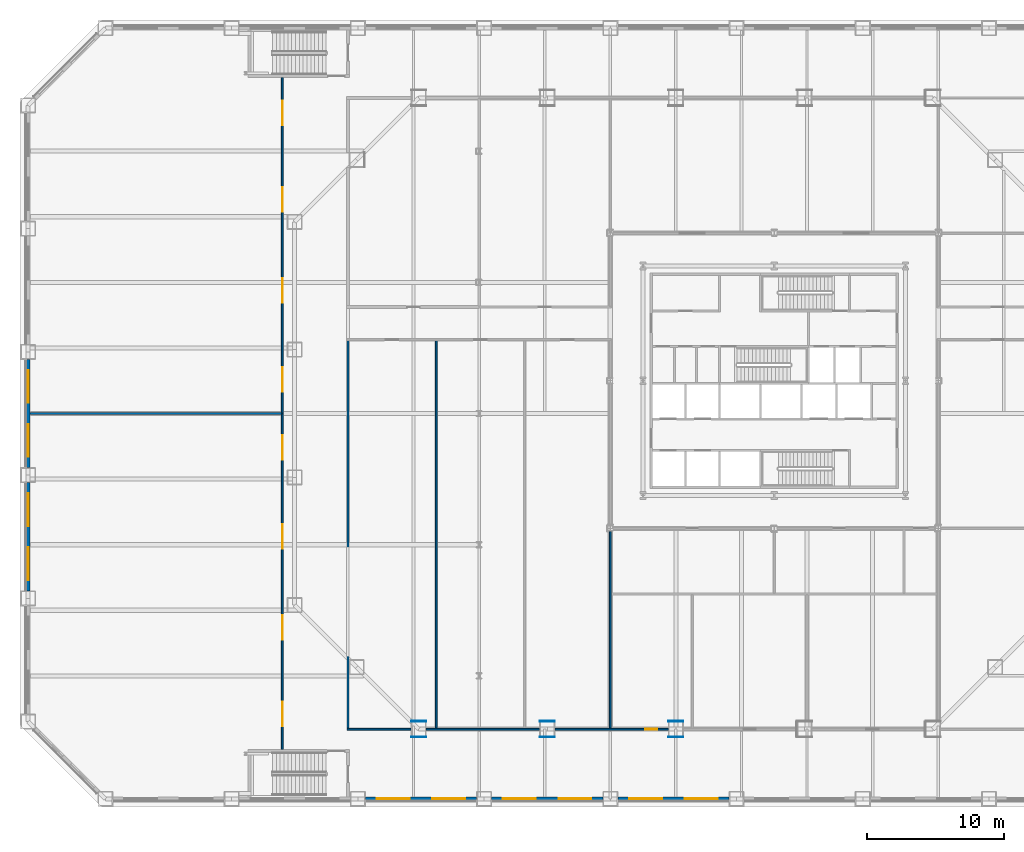
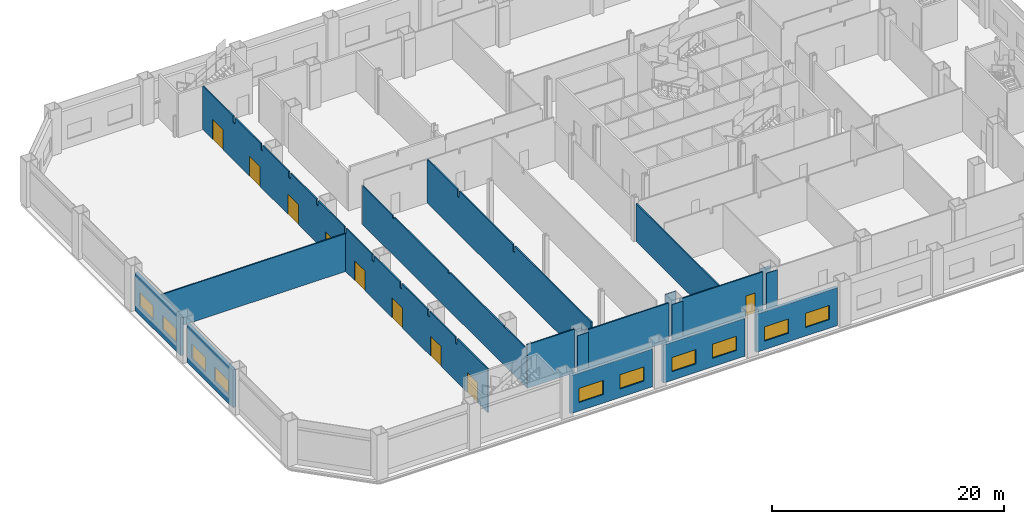
# One storey, part 12 of 25: 19 walls, 10 windows, 9 doors, 19 openings.
"""IFC4 building model written with IfcOpenShell, lengths in metres."""

from ifc_helpers import new_model, si_unit, direction, frame, frame_2d, origin, place, context, subcontext, project, spatial, polyline, rectangle, outline, extrude, material, layer, layer_set, type_object, element, fill, save


model = new_model("IFC4")

# Units and contexts
model_context = context("Model", 3, precision=1e-05, world=origin(), true_north=direction((0.0, 1.0)))
body_context = subcontext(model_context, "Body", "Model", "MODEL_VIEW")
ifc_project = project(units=[si_unit("LENGTHUNIT", "METRE"), si_unit("AREAUNIT", "SQUARE_METRE"), si_unit("VOLUMEUNIT", "CUBIC_METRE"), si_unit("PLANEANGLEUNIT", "RADIAN"), si_unit("MASSUNIT", "GRAM", prefix="KILO")], contexts=[model_context])

# Site, building, storey
site_placement = place(None, origin())
site = spatial("IfcSite", under=ifc_project, at=site_placement, CompositionType="ELEMENT")
building_placement = place(site_placement, origin())
building = spatial("IfcBuilding", under=site, at=building_placement, Name="Cairn Pilgrim Tower", CompositionType="ELEMENT")
storey_placement = place(building_placement, frame((0.0, 0.0, 30.60009765625)))
storey = spatial("IfcBuildingStorey", under=building, at=storey_placement, Name="L05", CompositionType="ELEMENT", Elevation=30.60009765625)

# Wall, openings, doors
ifc_material_1 = material(Name="Gypsum partition")
ifc_layer_1 = layer(ifc_material_1, 0.125)
ifc_layer_set_1 = layer_set([ifc_layer_1], Name="PARTITION 125 DRYWALL EI 60")
wall_type_1 = type_object("IfcWallType", Name="PARTITION 125 DRYWALL EI 60", PredefinedType="PARTITIONING", material=ifc_layer_set_1)
wall_1_placement = place(storey_placement, frame((-28.800048828125, -24.60009765625, 0.0), z_axis=(0.0, 0.0, 1.0), x_axis=(0.0, 1.0, 0.0)))
wall_1 = element("IfcWall", 1, at=wall_1_placement, inside=storey, type_object=wall_type_1, Name="PARTITION W007", PredefinedType="PARTITIONING", context=body_context, shape_type="SweptSolid", body=[
    extrude(outline(polyline([(0.0, 0.0), (49.2001953125, 0.0), (49.199951171875, 4.599853515625), (43.949951171875, 4.599853515625), (43.947998046875, 3.97998046875), (43.64990234375, 3.97998046875), (43.64794921875, 4.599853515625), (39.14990234375, 4.599853515625), (39.14794921875, 3.97998046875), (38.85009765625, 3.97998046875), (38.847900390625, 4.599853515625), (34.35009765625, 4.599853515625), (34.347900390625, 3.97998046875), (34.050048828125, 3.97998046875), (34.048095703125, 4.599853515625), (29.550048828125, 4.599853515625), (29.548095703125, 3.97998046875), (29.25, 3.97998046875), (29.248046875, 4.599853515625), (24.75, 4.599853515625), (24.748046875, 3.97998046875), (24.449951171875, 3.97998046875), (24.447998046875, 4.599853515625), (19.949951171875, 4.599853515625), (19.947998046875, 3.97998046875), (19.64990234375, 3.97998046875), (19.64794921875, 4.599853515625), (15.14990234375, 4.599853515625), (15.14794921875, 3.97998046875), (14.85009765625, 3.97998046875), (14.847900390625, 4.599853515625), (10.35009765625, 4.599853515625), (10.347900390625, 3.97998046875), (10.050048828125, 3.97998046875), (10.048095703125, 4.599853515625), (5.550048828125, 4.599853515625), (5.548095703125, 3.97998046875), (5.25, 3.97998046875), (5.248046875, 4.599853515625), (0.0, 4.599853515625), (0.0, 0.0)])), frame((0.0, 0.0625, 0.0), z_axis=(0.0, -1.0, 0.0), x_axis=(1.0, 0.0, 0.0)), (0.0, 0.0, 1.0), 0.125),
])
opening_1_placement = place(wall_1_placement, frame((1.699951171875, 0.0, 0.0)))
opening_1 = element("IfcOpeningElement", 2, at=opening_1_placement, cuts=wall_1, Name="Opening 0528", PredefinedType="OPENING", context=body_context, shape_type="SweptSolid", body=[
    extrude(rectangle(XDim=1.800048828125, YDim=2.10009765625, at=frame_2d((0.89990234375, 1.050048828125))), frame((0.0, 0.072509765625, 0.0), z_axis=(0.0, -1.0, 0.0), x_axis=(1.0, 0.0, 0.0)), (0.0, 0.0, 1.0), 0.14501953125),
])
opening_2_placement = place(wall_1_placement, frame((8.050048828125, 0.0, 0.0)))
opening_2 = element("IfcOpeningElement", 3, at=opening_2_placement, cuts=wall_1, Name="Opening 0529", PredefinedType="OPENING", context=body_context, shape_type="SweptSolid", body=[
    extrude(rectangle(XDim=1.800048828125, YDim=2.10009765625, at=frame_2d((0.89990234375, 1.050048828125))), frame((0.0, 0.072509765625, 0.0), z_axis=(0.0, -1.0, 0.0), x_axis=(1.0, 0.0, 0.0)), (0.0, 0.0, 1.0), 0.14501953125),
])
opening_3_placement = place(wall_1_placement, frame((14.699951171875, 0.0, 0.0)))
opening_3 = element("IfcOpeningElement", 4, at=opening_3_placement, cuts=wall_1, Name="Opening 0530", PredefinedType="OPENING", context=body_context, shape_type="SweptSolid", body=[
    extrude(rectangle(XDim=1.800048828125, YDim=2.10009765625, at=frame_2d((0.89990234375, 1.050048828125))), frame((0.0, 0.072509765625, 0.0), z_axis=(0.0, -1.0, 0.0), x_axis=(1.0, 0.0, 0.0)), (0.0, 0.0, 1.0), 0.14501953125),
])
opening_4_placement = place(wall_1_placement, frame((21.199951171875, 0.0, 0.0)))
opening_4 = element("IfcOpeningElement", 5, at=opening_4_placement, cuts=wall_1, Name="Opening 0531", PredefinedType="OPENING", context=body_context, shape_type="SweptSolid", body=[
    extrude(rectangle(XDim=1.800048828125, YDim=2.10009765625, at=frame_2d((0.89990234375, 1.050048828125))), frame((0.0, 0.072509765625, 0.0), z_axis=(0.0, -1.0, 0.0), x_axis=(1.0, 0.0, 0.0)), (0.0, 0.0, 1.0), 0.14501953125),
])
opening_5_placement = place(wall_1_placement, frame((26.199951171875, 0.0, 0.0)))
opening_5 = element("IfcOpeningElement", 6, at=opening_5_placement, cuts=wall_1, Name="Opening 0532", PredefinedType="OPENING", context=body_context, shape_type="SweptSolid", body=[
    extrude(rectangle(XDim=1.800048828125, YDim=2.10009765625, at=frame_2d((0.89990234375, 1.050048828125))), frame((0.0, 0.072509765625, 0.0), z_axis=(0.0, -1.0, 0.0), x_axis=(1.0, 0.0, 0.0)), (0.0, 0.0, 1.0), 0.14501953125),
])
opening_6_placement = place(wall_1_placement, frame((32.699951171875, 0.0, 0.0)))
opening_6 = element("IfcOpeningElement", 7, at=opening_6_placement, cuts=wall_1, Name="Opening 0533", PredefinedType="OPENING", context=body_context, shape_type="SweptSolid", body=[
    extrude(rectangle(XDim=1.800048828125, YDim=2.10009765625, at=frame_2d((0.89990234375, 1.050048828125))), frame((0.0, 0.072509765625, 0.0), z_axis=(0.0, -1.0, 0.0), x_axis=(1.0, 0.0, 0.0)), (0.0, 0.0, 1.0), 0.14501953125),
])
opening_7_placement = place(wall_1_placement, frame((39.35009765625, 0.0, 0.0)))
opening_7 = element("IfcOpeningElement", 8, at=opening_7_placement, cuts=wall_1, Name="Opening 0534", PredefinedType="OPENING", context=body_context, shape_type="SweptSolid", body=[
    extrude(rectangle(XDim=1.800048828125, YDim=2.10009765625, at=frame_2d((0.89990234375, 1.050048828125))), frame((0.0, 0.072509765625, 0.0), z_axis=(0.0, -1.0, 0.0), x_axis=(1.0, 0.0, 0.0)), (0.0, 0.0, 1.0), 0.14501953125),
])
opening_8_placement = place(wall_1_placement, frame((45.699951171875, 0.0, 0.0)))
opening_8 = element("IfcOpeningElement", 9, at=opening_8_placement, cuts=wall_1, Name="Opening 0535", PredefinedType="OPENING", context=body_context, shape_type="SweptSolid", body=[
    extrude(rectangle(XDim=1.800048828125, YDim=2.10009765625, at=frame_2d((0.89990234375, 1.050048828125))), frame((0.0, 0.072509765625, 0.0), z_axis=(0.0, -1.0, 0.0), x_axis=(1.0, 0.0, 0.0)), (0.0, 0.0, 1.0), 0.14501953125),
])
ifc_material_2 = material(Name="Timber door leaf", Category="wood")
door_type_1 = type_object("IfcDoorType", Name="DOOR PAIR 1800x2100 FD60S", OperationType="NOTDEFINED", PredefinedType="DOOR", material=ifc_material_2)
door_1_placement = place(opening_1_placement, frame((1.800048828125, 0.0, 0.0), z_axis=(0.0, 0.0, 1.0), x_axis=(-1.0, 0.0, 0.0)))
door_1 = element("IfcDoor", 10, at=door_1_placement, inside=storey, type_object=door_type_1, Name="DOOR 0528", OperationType="DOUBLE_DOOR_SINGLE_SWING", OverallHeight=2.10009765625, OverallWidth=1.800048828125, PredefinedType="DOOR", context=body_context, shape_type="SweptSolid", body=[
    extrude(rectangle(XDim=1.800048828125, YDim=2.10009765625, at=frame_2d((0.89990234375, 1.050048828125))), frame((0.0, 0.02490234375, 0.0), z_axis=(0.0, -1.0, 0.0), x_axis=(1.0, 0.0, 0.0)), (0.0, 0.0, 1.0), 0.050048828125),
])
fill(opening_1, door_1)
door_2_placement = place(opening_2_placement, frame((1.800048828125, 0.0, 0.0), z_axis=(0.0, 0.0, 1.0), x_axis=(-1.0, 0.0, 0.0)))
door_2 = element("IfcDoor", 11, at=door_2_placement, inside=storey, type_object=door_type_1, Name="DOOR 0529", OperationType="DOUBLE_DOOR_SINGLE_SWING", OverallHeight=2.10009765625, OverallWidth=1.800048828125, PredefinedType="DOOR", context=body_context, shape_type="SweptSolid", body=[
    extrude(rectangle(XDim=1.800048828125, YDim=2.10009765625, at=frame_2d((0.89990234375, 1.050048828125))), frame((0.0, 0.02490234375, 0.0), z_axis=(0.0, -1.0, 0.0), x_axis=(1.0, 0.0, 0.0)), (0.0, 0.0, 1.0), 0.050048828125),
])
fill(opening_2, door_2)
door_3_placement = place(opening_3_placement, frame((1.800048828125, 0.0, 0.0), z_axis=(0.0, 0.0, 1.0), x_axis=(-1.0, 0.0, 0.0)))
door_3 = element("IfcDoor", 12, at=door_3_placement, inside=storey, type_object=door_type_1, Name="DOOR 0530", OperationType="DOUBLE_DOOR_SINGLE_SWING", OverallHeight=2.10009765625, OverallWidth=1.800048828125, PredefinedType="DOOR", context=body_context, shape_type="SweptSolid", body=[
    extrude(rectangle(XDim=1.800048828125, YDim=2.10009765625, at=frame_2d((0.89990234375, 1.050048828125))), frame((0.0, 0.02490234375, 0.0), z_axis=(0.0, -1.0, 0.0), x_axis=(1.0, 0.0, 0.0)), (0.0, 0.0, 1.0), 0.050048828125),
])
fill(opening_3, door_3)
door_4_placement = place(opening_4_placement, frame((1.800048828125, 0.0, 0.0), z_axis=(0.0, 0.0, 1.0), x_axis=(-1.0, 0.0, 0.0)))
door_4 = element("IfcDoor", 13, at=door_4_placement, inside=storey, type_object=door_type_1, Name="DOOR 0531", OperationType="DOUBLE_DOOR_SINGLE_SWING", OverallHeight=2.10009765625, OverallWidth=1.800048828125, PredefinedType="DOOR", context=body_context, shape_type="SweptSolid", body=[
    extrude(rectangle(XDim=1.800048828125, YDim=2.10009765625, at=frame_2d((0.89990234375, 1.050048828125))), frame((0.0, 0.02490234375, 0.0), z_axis=(0.0, -1.0, 0.0), x_axis=(1.0, 0.0, 0.0)), (0.0, 0.0, 1.0), 0.050048828125),
])
fill(opening_4, door_4)
door_5_placement = place(opening_5_placement, frame((1.800048828125, 0.0, 0.0), z_axis=(0.0, 0.0, 1.0), x_axis=(-1.0, 0.0, 0.0)))
door_5 = element("IfcDoor", 14, at=door_5_placement, inside=storey, type_object=door_type_1, Name="DOOR 0532", OperationType="DOUBLE_DOOR_SINGLE_SWING", OverallHeight=2.10009765625, OverallWidth=1.800048828125, PredefinedType="DOOR", context=body_context, shape_type="SweptSolid", body=[
    extrude(rectangle(XDim=1.800048828125, YDim=2.10009765625, at=frame_2d((0.89990234375, 1.050048828125))), frame((0.0, 0.02490234375, 0.0), z_axis=(0.0, -1.0, 0.0), x_axis=(1.0, 0.0, 0.0)), (0.0, 0.0, 1.0), 0.050048828125),
])
fill(opening_5, door_5)
door_6_placement = place(opening_6_placement, frame((1.800048828125, 0.0, 0.0), z_axis=(0.0, 0.0, 1.0), x_axis=(-1.0, 0.0, 0.0)))
door_6 = element("IfcDoor", 15, at=door_6_placement, inside=storey, type_object=door_type_1, Name="DOOR 0533", OperationType="DOUBLE_DOOR_SINGLE_SWING", OverallHeight=2.10009765625, OverallWidth=1.800048828125, PredefinedType="DOOR", context=body_context, shape_type="SweptSolid", body=[
    extrude(rectangle(XDim=1.800048828125, YDim=2.10009765625, at=frame_2d((0.89990234375, 1.050048828125))), frame((0.0, 0.02490234375, 0.0), z_axis=(0.0, -1.0, 0.0), x_axis=(1.0, 0.0, 0.0)), (0.0, 0.0, 1.0), 0.050048828125),
])
fill(opening_6, door_6)
door_7_placement = place(opening_7_placement, frame((1.800048828125, 0.0, 0.0), z_axis=(0.0, 0.0, 1.0), x_axis=(-1.0, 0.0, 0.0)))
door_7 = element("IfcDoor", 16, at=door_7_placement, inside=storey, type_object=door_type_1, Name="DOOR 0534", OperationType="DOUBLE_DOOR_SINGLE_SWING", OverallHeight=2.10009765625, OverallWidth=1.800048828125, PredefinedType="DOOR", context=body_context, shape_type="SweptSolid", body=[
    extrude(rectangle(XDim=1.800048828125, YDim=2.10009765625, at=frame_2d((0.89990234375, 1.050048828125))), frame((0.0, 0.02490234375, 0.0), z_axis=(0.0, -1.0, 0.0), x_axis=(1.0, 0.0, 0.0)), (0.0, 0.0, 1.0), 0.050048828125),
])
fill(opening_7, door_7)
door_8_placement = place(opening_8_placement, frame((1.800048828125, 0.0, 0.0), z_axis=(0.0, 0.0, 1.0), x_axis=(-1.0, 0.0, 0.0)))
door_8 = element("IfcDoor", 17, at=door_8_placement, inside=storey, type_object=door_type_1, Name="DOOR 0535", OperationType="DOUBLE_DOOR_SINGLE_SWING", OverallHeight=2.10009765625, OverallWidth=1.800048828125, PredefinedType="DOOR", context=body_context, shape_type="SweptSolid", body=[
    extrude(rectangle(XDim=1.800048828125, YDim=2.10009765625, at=frame_2d((0.89990234375, 1.050048828125))), frame((0.0, 0.02490234375, 0.0), z_axis=(0.0, -1.0, 0.0), x_axis=(1.0, 0.0, 0.0)), (0.0, 0.0, 1.0), 0.050048828125),
])
fill(opening_8, door_8)

# Walls
wall_2_placement = place(storey_placement, frame((-24.0625, -23.10009765625, 0.0), z_axis=(0.0, 0.0, 1.0), x_axis=(1.0, 0.0, 0.0)))
element("IfcWall", 18, at=wall_2_placement, inside=storey, type_object=wall_type_1, Name="PARTITION W008", PredefinedType="PARTITIONING", context=body_context, shape_type="SweptSolid", body=[
    extrude(rectangle(XDim=4.685302734375, YDim=0.125, at=frame_2d((2.3427734375, 0.0))), origin(), (0.0, 0.0, 1.0), 4.599853515625),
])
wall_3_placement = place(storey_placement, frame((-18.277099609375, -23.10009765625, 0.0), z_axis=(0.0, 0.0, 1.0), x_axis=(1.0, 0.0, 0.0)))
element("IfcWall", 19, at=wall_3_placement, inside=storey, type_object=wall_type_1, Name="PARTITION W009", PredefinedType="PARTITIONING", context=body_context, shape_type="SweptSolid", body=[
    extrude(rectangle(XDim=8.3134765625, YDim=0.125, at=frame_2d((4.15673828125, 0.0))), origin(), (0.0, 0.0, 1.0), 4.079833984375),
])

# Wall, opening, door
wall_4_placement = place(storey_placement, frame((-8.863525390625, -23.10009765625, 0.0), z_axis=(0.0, 0.0, 1.0), x_axis=(1.0, 0.0, 0.0)))
wall_4 = element("IfcWall", 20, at=wall_4_placement, inside=storey, type_object=wall_type_1, Name="PARTITION W010", PredefinedType="PARTITIONING", context=body_context, shape_type="SweptSolid", body=[
    extrude(rectangle(XDim=8.3134765625, YDim=0.125, at=frame_2d((4.15673828125, 0.0))), origin(), (0.0, 0.0, 1.0), 4.079833984375),
])
opening_9_placement = place(wall_4_placement, frame((6.613525390625, 0.0, 0.0)))
opening_9 = element("IfcOpeningElement", 21, at=opening_9_placement, cuts=wall_4, Name="Opening 0511", PredefinedType="OPENING", context=body_context, shape_type="SweptSolid", body=[
    extrude(rectangle(XDim=0.89990234375, YDim=2.10009765625, at=frame_2d((0.449951171875, 1.050048828125))), frame((0.0, 0.072509765625, 0.0), z_axis=(0.0, -1.0, 0.0), x_axis=(1.0, 0.0, 0.0)), (0.0, 0.0, 1.0), 0.14501953125),
])
door_type_2 = type_object("IfcDoorType", Name="SERVICE DOOR 900x2100 FD30S", OperationType="NOTDEFINED", PredefinedType="DOOR", material=ifc_material_2)
door_9_placement = place(opening_9_placement, frame((0.89990234375, 0.0, 0.0), z_axis=(0.0, 0.0, 1.0), x_axis=(-1.0, 0.0, 0.0)))
door_9 = element("IfcDoor", 22, at=door_9_placement, inside=storey, type_object=door_type_2, Name="DOOR 0511", OperationType="SINGLE_SWING_LEFT", OverallHeight=2.10009765625, OverallWidth=0.89990234375, PredefinedType="DOOR", context=body_context, shape_type="SweptSolid", body=[
    extrude(rectangle(XDim=0.89990234375, YDim=2.10009765625, at=frame_2d((0.449951171875, 1.050048828125))), frame((0.0, 0.02490234375, 0.0), z_axis=(0.0, -1.0, 0.0), x_axis=(1.0, 0.0, 0.0)), (0.0, 0.0, 1.0), 0.050048828125),
])
fill(opening_9, door_9)

# Walls
wall_5_placement = place(storey_placement, frame((-24.0, -23.03759765625, 0.0), z_axis=(0.0, 0.0, 1.0), x_axis=(0.0, 1.0, 0.0)))
element("IfcWall", 23, at=wall_5_placement, inside=storey, type_object=wall_type_1, Name="PARTITION W014", PredefinedType="PARTITIONING", context=body_context, shape_type="SweptSolid", body=[
    extrude(outline(polyline([(0.0, 0.0), (28.375, 0.0), (28.375, 4.079833984375), (23.1875, 4.079833984375), (23.185546875, 3.8798828125), (22.887451171875, 3.8798828125), (22.885498046875, 4.079833984375), (13.58740234375, 4.079833984375), (13.58544921875, 3.8798828125), (13.28759765625, 3.8798828125), (13.285400390625, 4.079833984375), (3.987548828125, 4.079833984375), (3.985595703125, 3.97998046875), (3.6875, 3.97998046875), (3.685546875, 4.079833984375), (0.0, 4.079833984375), (0.0, 0.0)])), frame((0.0, 0.0625, 0.0), z_axis=(0.0, -1.0, 0.0), x_axis=(1.0, 0.0, 0.0)), (0.0, 0.0, 1.0), 0.125),
])
wall_6_placement = place(storey_placement, frame((-17.532958984375, -23.03759765625, 0.0), z_axis=(0.0, 0.0, 1.0), x_axis=(0.0, 1.0, 0.0)))
element("IfcWall", 24, at=wall_6_placement, inside=storey, type_object=wall_type_1, Name="PARTITION W015", PredefinedType="PARTITIONING", context=body_context, shape_type="SweptSolid", body=[
    extrude(outline(polyline([(0.0, 0.0), (28.375, 0.0), (28.375, 4.599853515625), (23.1875, 4.599853515625), (23.185546875, 3.8798828125), (22.887451171875, 3.8798828125), (22.885498046875, 4.599853515625), (13.58740234375, 4.599853515625), (13.58544921875, 3.8798828125), (13.28759765625, 3.8798828125), (13.285400390625, 4.599853515625), (0.08740234375, 4.599853515625), (0.08544921875, 4.079833984375), (0.0, 4.079833984375), (0.0, 0.0)])), frame((0.0, 0.0625, 0.0), z_axis=(0.0, -1.0, 0.0), x_axis=(1.0, 0.0, 0.0)), (0.0, 0.0, 1.0), 0.125),
])
wall_7_placement = place(storey_placement, frame((-4.800048828125, -23.03759765625, 0.0), z_axis=(0.0, 0.0, 1.0), x_axis=(0.0, 1.0, 0.0)))
element("IfcWall", 25, at=wall_7_placement, inside=storey, type_object=wall_type_1, Name="PARTITION W017", PredefinedType="PARTITIONING", context=body_context, shape_type="SweptSolid", body=[
    extrude(rectangle(XDim=14.400634765625, YDim=0.125, at=frame_2d((7.2001953125, 0.0))), origin(), (0.0, 0.0, 1.0), 3.97998046875),
])
wall_8_placement = place(storey_placement, frame((-47.25, 0.0, 0.0), z_axis=(0.0, 0.0, 1.0), x_axis=(1.0, 0.0, 0.0)))
element("IfcWall", 26, at=wall_8_placement, inside=storey, type_object=wall_type_1, Name="PARTITION W037", PredefinedType="PARTITIONING", context=body_context, shape_type="SweptSolid", body=[
    extrude(rectangle(XDim=18.387451171875, YDim=0.125, at=frame_2d((9.19384765625, 0.0))), origin(), (0.0, 0.0, 1.0), 3.97998046875),
])
ifc_layer_2 = layer(ifc_material_1, 0.050048828125)
ifc_layer_set_2 = layer_set([ifc_layer_2], Name="PARTITION 50 DRYWALL EI 60")
wall_type_2 = type_object("IfcWallType", Name="PARTITION 50 DRYWALL EI 60", PredefinedType="PARTITIONING", material=ifc_layer_set_2)
wall_9_placement = place(storey_placement, frame((-19.377197265625, -23.675048828125, 0.0), z_axis=(0.0, 0.0, 1.0), x_axis=(1.0, 0.0, 0.0)))
element("IfcWall", 27, at=wall_9_placement, inside=storey, type_object=wall_type_2, Name="COLUMN CASING WC01", PredefinedType="PARTITIONING", context=body_context, shape_type="SweptSolid", body=[
    extrude(rectangle(XDim=1.10009765625, YDim=0.050048828125, at=frame_2d((0.550048828125, 0.0))), origin(), (0.0, 0.0, 1.0), 4.219970703125),
])
wall_10_placement = place(storey_placement, frame((-19.377197265625, -22.52490234375, 0.0), z_axis=(0.0, 0.0, 1.0), x_axis=(1.0, 0.0, 0.0)))
element("IfcWall", 28, at=wall_10_placement, inside=storey, type_object=wall_type_2, Name="COLUMN CASING WC02", PredefinedType="PARTITIONING", context=body_context, shape_type="SweptSolid", body=[
    extrude(rectangle(XDim=1.10009765625, YDim=0.050048828125, at=frame_2d((0.550048828125, 0.0))), origin(), (0.0, 0.0, 1.0), 3.97998046875),
])
wall_11_placement = place(storey_placement, frame((-9.963623046875, -22.52490234375, 0.0), z_axis=(0.0, 0.0, 1.0), x_axis=(1.0, 0.0, 0.0)))
element("IfcWall", 29, at=wall_11_placement, inside=storey, type_object=wall_type_2, Name="COLUMN CASING WC03", PredefinedType="PARTITIONING", context=body_context, shape_type="SweptSolid", body=[
    extrude(rectangle(XDim=1.10009765625, YDim=0.050048828125, at=frame_2d((0.550048828125, 0.0))), origin(), (0.0, 0.0, 1.0), 4.599853515625),
])
wall_12_placement = place(storey_placement, frame((-9.963623046875, -23.675048828125, 0.0), z_axis=(0.0, 0.0, 1.0), x_axis=(1.0, 0.0, 0.0)))
element("IfcWall", 30, at=wall_12_placement, inside=storey, type_object=wall_type_2, Name="COLUMN CASING WC04", PredefinedType="PARTITIONING", context=body_context, shape_type="SweptSolid", body=[
    extrude(rectangle(XDim=1.10009765625, YDim=0.050048828125, at=frame_2d((0.550048828125, 0.0))), origin(), (0.0, 0.0, 1.0), 4.219970703125),
])
wall_13_placement = place(storey_placement, frame((-0.550048828125, -22.52490234375, 0.0), z_axis=(0.0, 0.0, 1.0), x_axis=(1.0, 0.0, 0.0)))
element("IfcWall", 31, at=wall_13_placement, inside=storey, type_object=wall_type_2, Name="COLUMN CASING WC05", PredefinedType="PARTITIONING", context=body_context, shape_type="SweptSolid", body=[
    extrude(rectangle(XDim=1.10009765625, YDim=0.050048828125, at=frame_2d((0.550048828125, 0.0))), origin(), (0.0, 0.0, 1.0), 3.97998046875),
])
wall_14_placement = place(storey_placement, frame((-0.550048828125, -23.675048828125, 0.0), z_axis=(0.0, 0.0, 1.0), x_axis=(1.0, 0.0, 0.0)))
element("IfcWall", 32, at=wall_14_placement, inside=storey, type_object=wall_type_2, Name="COLUMN CASING WC06", PredefinedType="PARTITIONING", context=body_context, shape_type="SweptSolid", body=[
    extrude(rectangle(XDim=1.10009765625, YDim=0.050048828125, at=frame_2d((0.550048828125, 0.0))), origin(), (0.0, 0.0, 1.0), 4.219970703125),
])

# Wall, openings, windows
ifc_material_3 = material(Name="Concrete C35/45 backup wall with bronze aluminium cladding", Category="concrete")
ifc_layer_3 = layer(ifc_material_3, 0.300048828125)
ifc_layer_set_3 = layer_set([ifc_layer_3], Name="PODIUM WALL 300 BRONZE-CLAD")
wall_type_3 = type_object("IfcWallType", Name="PODIUM WALL 300 BRONZE-CLAD", PredefinedType="SOLIDWALL", material=ifc_layer_set_3)
wall_15_placement = place(storey_placement, frame((-22.7255859375, -28.199951171875, 0.0), z_axis=(0.0, 0.0, 1.0), x_axis=(1.0, 0.0, 0.0)))
wall_15 = element("IfcWall", 33, at=wall_15_placement, inside=storey, type_object=wall_type_3, Name="PODIUM EXTERNAL WALL S3-S4", PredefinedType="SOLIDWALL", context=body_context, shape_type="SweptSolid", body=[
    extrude(rectangle(XDim=8.1376953125, YDim=0.300048828125, at=frame_2d((4.06884765625, 0.0))), origin(), (0.0, 0.0, 1.0), 4.0),
])
opening_10_placement = place(wall_15_placement, frame((0.83447265625, 0.0, 0.89990234375)))
opening_10 = element("IfcOpeningElement", 34, at=opening_10_placement, cuts=wall_15, Name="Opening PW15", PredefinedType="OPENING", context=body_context, shape_type="SweptSolid", body=[
    extrude(rectangle(XDim=2.39990234375, YDim=1.5, at=frame_2d((1.199951171875, 0.75))), frame((0.0, 0.16015625, 0.0), z_axis=(0.0, -1.0, 0.0), x_axis=(1.0, 0.0, 0.0)), (0.0, 0.0, 1.0), 0.320068359375),
])
opening_11_placement = place(wall_15_placement, frame((4.9033203125, 0.0, 0.89990234375)))
opening_11 = element("IfcOpeningElement", 35, at=opening_11_placement, cuts=wall_15, Name="Opening PW15", PredefinedType="OPENING", context=body_context, shape_type="SweptSolid", body=[
    extrude(rectangle(XDim=2.39990234375, YDim=1.5, at=frame_2d((1.199951171875, 0.75))), frame((0.0, 0.16015625, 0.0), z_axis=(0.0, -1.0, 0.0), x_axis=(1.0, 0.0, 0.0)), (0.0, 0.0, 1.0), 0.320068359375),
])
ifc_material_4 = material(Name="Bronze anodised aluminium frame with tinted low-E glass", Category="aluminium")
window_type = type_object("IfcWindowType", Name="PODIUM FIXED WINDOW 2400x1500", PartitioningType="SINGLE_PANEL", PredefinedType="WINDOW", material=ifc_material_4)
window_1_placement = place(opening_10_placement, origin())
window_1 = element("IfcWindow", 36, at=window_1_placement, inside=storey, type_object=window_type, Name="PODIUM WINDOW", OverallHeight=1.5, OverallWidth=2.39990234375, PartitioningType="SINGLE_PANEL", PredefinedType="WINDOW", context=body_context, shape_type="SweptSolid", body=[
    extrude(rectangle(XDim=2.39990234375, YDim=1.5, at=frame_2d((1.199951171875, 0.75))), frame((0.0, 0.030029296875, 0.0), z_axis=(0.0, -1.0, 0.0), x_axis=(1.0, 0.0, 0.0)), (0.0, 0.0, 1.0), 0.06005859375),
])
fill(opening_10, window_1)
window_2_placement = place(opening_11_placement, origin())
window_2 = element("IfcWindow", 37, at=window_2_placement, inside=storey, type_object=window_type, Name="PODIUM WINDOW", OverallHeight=1.5, OverallWidth=2.39990234375, PartitioningType="SINGLE_PANEL", PredefinedType="WINDOW", context=body_context, shape_type="SweptSolid", body=[
    extrude(rectangle(XDim=2.39990234375, YDim=1.5, at=frame_2d((1.199951171875, 0.75))), frame((0.0, 0.030029296875, 0.0), z_axis=(0.0, -1.0, 0.0), x_axis=(1.0, 0.0, 0.0)), (0.0, 0.0, 1.0), 0.06005859375),
])
fill(opening_11, window_2)

wall_16_placement = place(storey_placement, frame((-13.48779296875, -28.199951171875, 0.0), z_axis=(0.0, 0.0, 1.0), x_axis=(1.0, 0.0, 0.0)))
wall_16 = element("IfcWall", 38, at=wall_16_placement, inside=storey, type_object=wall_type_3, Name="PODIUM EXTERNAL WALL S4-S5", PredefinedType="SOLIDWALL", context=body_context, shape_type="SweptSolid", body=[
    extrude(rectangle(XDim=8.1376953125, YDim=0.300048828125, at=frame_2d((4.06884765625, 0.0))), origin(), (0.0, 0.0, 1.0), 4.0),
])
opening_12_placement = place(wall_16_placement, frame((0.83447265625, 0.0, 0.89990234375)))
opening_12 = element("IfcOpeningElement", 39, at=opening_12_placement, cuts=wall_16, Name="Opening PW15", PredefinedType="OPENING", context=body_context, shape_type="SweptSolid", body=[
    extrude(rectangle(XDim=2.39990234375, YDim=1.5, at=frame_2d((1.199951171875, 0.75))), frame((0.0, 0.16015625, 0.0), z_axis=(0.0, -1.0, 0.0), x_axis=(1.0, 0.0, 0.0)), (0.0, 0.0, 1.0), 0.320068359375),
])
opening_13_placement = place(wall_16_placement, frame((4.9033203125, 0.0, 0.89990234375)))
opening_13 = element("IfcOpeningElement", 40, at=opening_13_placement, cuts=wall_16, Name="Opening PW15", PredefinedType="OPENING", context=body_context, shape_type="SweptSolid", body=[
    extrude(rectangle(XDim=2.39990234375, YDim=1.5, at=frame_2d((1.199951171875, 0.75))), frame((0.0, 0.16015625, 0.0), z_axis=(0.0, -1.0, 0.0), x_axis=(1.0, 0.0, 0.0)), (0.0, 0.0, 1.0), 0.320068359375),
])
window_3_placement = place(opening_12_placement, origin())
window_3 = element("IfcWindow", 41, at=window_3_placement, inside=storey, type_object=window_type, Name="PODIUM WINDOW", OverallHeight=1.5, OverallWidth=2.39990234375, PartitioningType="SINGLE_PANEL", PredefinedType="WINDOW", context=body_context, shape_type="SweptSolid", body=[
    extrude(rectangle(XDim=2.39990234375, YDim=1.5, at=frame_2d((1.199951171875, 0.75))), frame((0.0, 0.030029296875, 0.0), z_axis=(0.0, -1.0, 0.0), x_axis=(1.0, 0.0, 0.0)), (0.0, 0.0, 1.0), 0.06005859375),
])
fill(opening_12, window_3)
window_4_placement = place(opening_13_placement, origin())
window_4 = element("IfcWindow", 42, at=window_4_placement, inside=storey, type_object=window_type, Name="PODIUM WINDOW", OverallHeight=1.5, OverallWidth=2.39990234375, PartitioningType="SINGLE_PANEL", PredefinedType="WINDOW", context=body_context, shape_type="SweptSolid", body=[
    extrude(rectangle(XDim=2.39990234375, YDim=1.5, at=frame_2d((1.199951171875, 0.75))), frame((0.0, 0.030029296875, 0.0), z_axis=(0.0, -1.0, 0.0), x_axis=(1.0, 0.0, 0.0)), (0.0, 0.0, 1.0), 0.06005859375),
])
fill(opening_13, window_4)

wall_17_placement = place(storey_placement, frame((-4.25, -28.199951171875, 0.0), z_axis=(0.0, 0.0, 1.0), x_axis=(1.0, 0.0, 0.0)))
wall_17 = element("IfcWall", 43, at=wall_17_placement, inside=storey, type_object=wall_type_3, Name="PODIUM EXTERNAL WALL S5-S6", PredefinedType="SOLIDWALL", context=body_context, shape_type="SweptSolid", body=[
    extrude(rectangle(XDim=8.137939453125, YDim=0.300048828125, at=frame_2d((4.06884765625, 0.0))), origin(), (0.0, 0.0, 1.0), 4.0),
])
opening_14_placement = place(wall_17_placement, frame((0.83447265625, 0.0, 0.89990234375)))
opening_14 = element("IfcOpeningElement", 44, at=opening_14_placement, cuts=wall_17, Name="Opening PW15", PredefinedType="OPENING", context=body_context, shape_type="SweptSolid", body=[
    extrude(rectangle(XDim=2.39990234375, YDim=1.5, at=frame_2d((1.199951171875, 0.75))), frame((0.0, 0.16015625, 0.0), z_axis=(0.0, -1.0, 0.0), x_axis=(1.0, 0.0, 0.0)), (0.0, 0.0, 1.0), 0.320068359375),
])
opening_15_placement = place(wall_17_placement, frame((4.9033203125, 0.0, 0.89990234375)))
opening_15 = element("IfcOpeningElement", 45, at=opening_15_placement, cuts=wall_17, Name="Opening PW15", PredefinedType="OPENING", context=body_context, shape_type="SweptSolid", body=[
    extrude(rectangle(XDim=2.39990234375, YDim=1.5, at=frame_2d((1.199951171875, 0.75))), frame((0.0, 0.16015625, 0.0), z_axis=(0.0, -1.0, 0.0), x_axis=(1.0, 0.0, 0.0)), (0.0, 0.0, 1.0), 0.320068359375),
])
window_5_placement = place(opening_14_placement, origin())
window_5 = element("IfcWindow", 46, at=window_5_placement, inside=storey, type_object=window_type, Name="PODIUM WINDOW", OverallHeight=1.5, OverallWidth=2.39990234375, PartitioningType="SINGLE_PANEL", PredefinedType="WINDOW", context=body_context, shape_type="SweptSolid", body=[
    extrude(rectangle(XDim=2.39990234375, YDim=1.5, at=frame_2d((1.199951171875, 0.75))), frame((0.0, 0.030029296875, 0.0), z_axis=(0.0, -1.0, 0.0), x_axis=(1.0, 0.0, 0.0)), (0.0, 0.0, 1.0), 0.06005859375),
])
fill(opening_14, window_5)
window_6_placement = place(opening_15_placement, origin())
window_6 = element("IfcWindow", 47, at=window_6_placement, inside=storey, type_object=window_type, Name="PODIUM WINDOW", OverallHeight=1.5, OverallWidth=2.39990234375, PartitioningType="SINGLE_PANEL", PredefinedType="WINDOW", context=body_context, shape_type="SweptSolid", body=[
    extrude(rectangle(XDim=2.39990234375, YDim=1.5, at=frame_2d((1.199951171875, 0.75))), frame((0.0, 0.030029296875, 0.0), z_axis=(0.0, -1.0, 0.0), x_axis=(1.0, 0.0, 0.0)), (0.0, 0.0, 1.0), 0.06005859375),
])
fill(opening_15, window_6)

wall_18_placement = place(storey_placement, frame((-47.39990234375, 3.960205078125, 0.0), z_axis=(0.0, 0.0, 1.0), x_axis=(0.0, -1.0, 0.0)))
wall_18 = element("IfcWall", 48, at=wall_18_placement, inside=storey, type_object=wall_type_3, Name="PODIUM EXTERNAL WALL W3-W4", PredefinedType="SOLIDWALL", context=body_context, shape_type="SweptSolid", body=[
    extrude(rectangle(XDim=7.92041015625, YDim=0.300048828125, at=frame_2d((3.960205078125, 0.0))), origin(), (0.0, 0.0, 1.0), 4.0),
])
opening_16_placement = place(wall_18_placement, frame((0.780029296875, 0.0, 0.89990234375)))
opening_16 = element("IfcOpeningElement", 49, at=opening_16_placement, cuts=wall_18, Name="Opening PW15", PredefinedType="OPENING", context=body_context, shape_type="SweptSolid", body=[
    extrude(rectangle(XDim=2.39990234375, YDim=1.5, at=frame_2d((1.199951171875, 0.75))), frame((0.0, 0.16015625, 0.0), z_axis=(0.0, -1.0, 0.0), x_axis=(1.0, 0.0, 0.0)), (0.0, 0.0, 1.0), 0.320068359375),
])
opening_17_placement = place(wall_18_placement, frame((4.740478515625, 0.0, 0.89990234375)))
opening_17 = element("IfcOpeningElement", 50, at=opening_17_placement, cuts=wall_18, Name="Opening PW15", PredefinedType="OPENING", context=body_context, shape_type="SweptSolid", body=[
    extrude(rectangle(XDim=2.39990234375, YDim=1.5, at=frame_2d((1.199951171875, 0.75))), frame((0.0, 0.16015625, 0.0), z_axis=(0.0, -1.0, 0.0), x_axis=(1.0, 0.0, 0.0)), (0.0, 0.0, 1.0), 0.320068359375),
])
window_7_placement = place(opening_16_placement, origin())
window_7 = element("IfcWindow", 51, at=window_7_placement, inside=storey, type_object=window_type, Name="PODIUM WINDOW", OverallHeight=1.5, OverallWidth=2.39990234375, PartitioningType="SINGLE_PANEL", PredefinedType="WINDOW", context=body_context, shape_type="SweptSolid", body=[
    extrude(rectangle(XDim=2.39990234375, YDim=1.5, at=frame_2d((1.199951171875, 0.75))), frame((0.0, 0.030029296875, 0.0), z_axis=(0.0, -1.0, 0.0), x_axis=(1.0, 0.0, 0.0)), (0.0, 0.0, 1.0), 0.06005859375),
])
fill(opening_16, window_7)
window_8_placement = place(opening_17_placement, origin())
window_8 = element("IfcWindow", 52, at=window_8_placement, inside=storey, type_object=window_type, Name="PODIUM WINDOW", OverallHeight=1.5, OverallWidth=2.39990234375, PartitioningType="SINGLE_PANEL", PredefinedType="WINDOW", context=body_context, shape_type="SweptSolid", body=[
    extrude(rectangle(XDim=2.39990234375, YDim=1.5, at=frame_2d((1.199951171875, 0.75))), frame((0.0, 0.030029296875, 0.0), z_axis=(0.0, -1.0, 0.0), x_axis=(1.0, 0.0, 0.0)), (0.0, 0.0, 1.0), 0.06005859375),
])
fill(opening_17, window_8)

wall_19_placement = place(storey_placement, frame((-47.39990234375, -5.060302734375, 0.0), z_axis=(0.0, 0.0, 1.0), x_axis=(0.0, -1.0, 0.0)))
wall_19 = element("IfcWall", 53, at=wall_19_placement, inside=storey, type_object=wall_type_3, Name="PODIUM EXTERNAL WALL W4-W5", PredefinedType="SOLIDWALL", context=body_context, shape_type="SweptSolid", body=[
    extrude(rectangle(XDim=7.920654296875, YDim=0.300048828125, at=frame_2d((3.96044921875, 0.0))), origin(), (0.0, 0.0, 1.0), 4.0),
])
opening_18_placement = place(wall_19_placement, frame((0.780029296875, 0.0, 0.89990234375)))
opening_18 = element("IfcOpeningElement", 54, at=opening_18_placement, cuts=wall_19, Name="Opening PW15", PredefinedType="OPENING", context=body_context, shape_type="SweptSolid", body=[
    extrude(rectangle(XDim=2.39990234375, YDim=1.5, at=frame_2d((1.199951171875, 0.75))), frame((0.0, 0.16015625, 0.0), z_axis=(0.0, -1.0, 0.0), x_axis=(1.0, 0.0, 0.0)), (0.0, 0.0, 1.0), 0.320068359375),
])
opening_19_placement = place(wall_19_placement, frame((4.740478515625, 0.0, 0.89990234375)))
opening_19 = element("IfcOpeningElement", 55, at=opening_19_placement, cuts=wall_19, Name="Opening PW15", PredefinedType="OPENING", context=body_context, shape_type="SweptSolid", body=[
    extrude(rectangle(XDim=2.39990234375, YDim=1.5, at=frame_2d((1.199951171875, 0.75))), frame((0.0, 0.16015625, 0.0), z_axis=(0.0, -1.0, 0.0), x_axis=(1.0, 0.0, 0.0)), (0.0, 0.0, 1.0), 0.320068359375),
])
window_9_placement = place(opening_18_placement, origin())
window_9 = element("IfcWindow", 56, at=window_9_placement, inside=storey, type_object=window_type, Name="PODIUM WINDOW", OverallHeight=1.5, OverallWidth=2.39990234375, PartitioningType="SINGLE_PANEL", PredefinedType="WINDOW", context=body_context, shape_type="SweptSolid", body=[
    extrude(rectangle(XDim=2.39990234375, YDim=1.5, at=frame_2d((1.199951171875, 0.75))), frame((0.0, 0.030029296875, 0.0), z_axis=(0.0, -1.0, 0.0), x_axis=(1.0, 0.0, 0.0)), (0.0, 0.0, 1.0), 0.06005859375),
])
fill(opening_18, window_9)
window_10_placement = place(opening_19_placement, origin())
window_10 = element("IfcWindow", 57, at=window_10_placement, inside=storey, type_object=window_type, Name="PODIUM WINDOW", OverallHeight=1.5, OverallWidth=2.39990234375, PartitioningType="SINGLE_PANEL", PredefinedType="WINDOW", context=body_context, shape_type="SweptSolid", body=[
    extrude(rectangle(XDim=2.39990234375, YDim=1.5, at=frame_2d((1.199951171875, 0.75))), frame((0.0, 0.030029296875, 0.0), z_axis=(0.0, -1.0, 0.0), x_axis=(1.0, 0.0, 0.0)), (0.0, 0.0, 1.0), 0.06005859375),
])
fill(opening_19, window_10)

save(model, "model.ifc")
